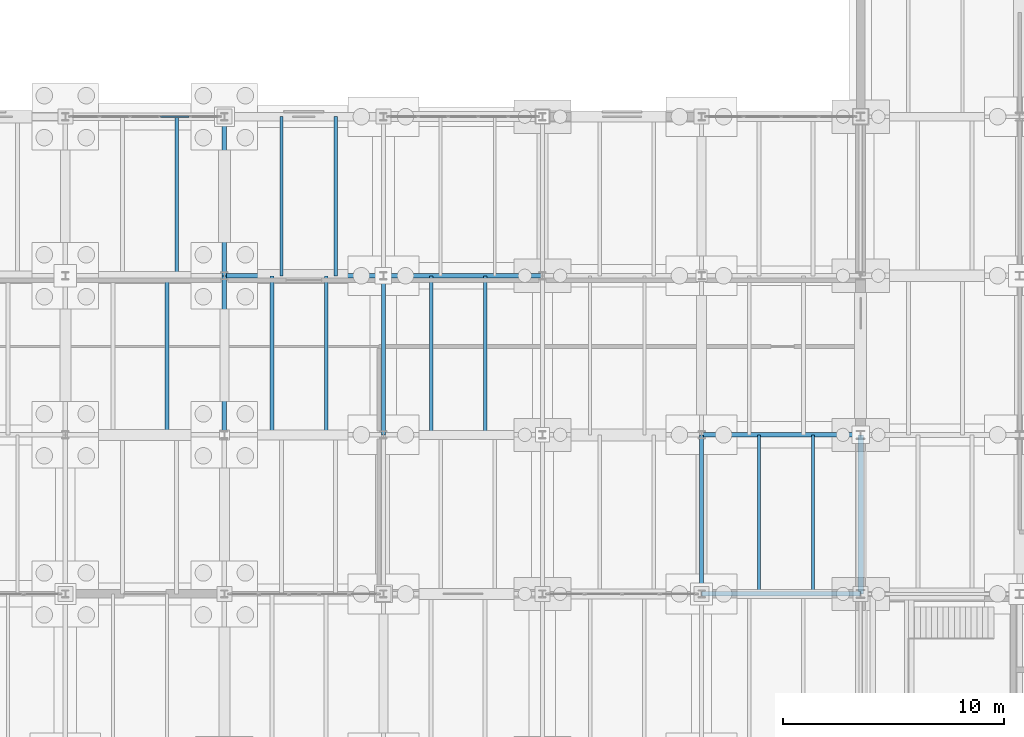
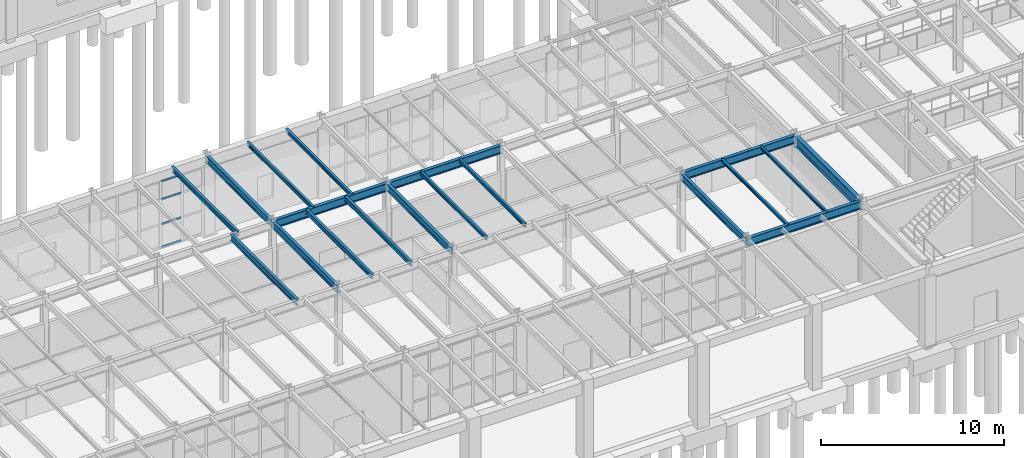
# One storey, part 155 of 293: 19 beams, 4 members, 1 element without a shape of its own.
"""IFC4 building model written with IfcOpenShell, lengths in metres."""

from ifc_helpers import new_model, si_unit, direction, frame, origin, origin_2d, place, context, subcontext, project, spatial, hollow_rectangle, i_section, extrude, material, layer, layer_set, material_profile, profile_set, type_object, element, aggregate, save


model = new_model("IFC4")

# Units and contexts
model_context = context("Model", 3, precision=1e-05, world=origin(), true_north=direction((0.0, 1.0)))
body_context = subcontext(model_context, "Body", "Model", "MODEL_VIEW")
ifc_project = project(units=[si_unit("LENGTHUNIT", "METRE"), si_unit("AREAUNIT", "SQUARE_METRE"), si_unit("VOLUMEUNIT", "CUBIC_METRE"), si_unit("PLANEANGLEUNIT", "RADIAN"), si_unit("MASSUNIT", "GRAM", prefix="KILO")], contexts=[model_context])

# Site, building, storey
site_placement = place(None, origin())
site = spatial("IfcSite", under=ifc_project, at=site_placement, CompositionType="ELEMENT")
building_placement = place(site_placement, origin())
building = spatial("IfcBuilding", under=site, at=building_placement, Name="Kemerveld Promenade Tramway Depot", CompositionType="ELEMENT")
storey_placement = place(building_placement, origin())
storey = spatial("IfcBuildingStorey", under=building, at=storey_placement, Name="L00", CompositionType="ELEMENT", Elevation=0.0)

# Beams
ifc_material_1 = material(Name="Steel S355", Category="steel")
ifc_material_profile_1 = material_profile(ifc_material_1, i_section(OverallWidth=0.25439453125, OverallDepth=0.6875, WebThickness=0.01318359375, FlangeThickness=0.02099609375, FilletRadius=0.01513671875, at=origin_2d()), Name="686x254x152 UB")
ifc_profile_set_1 = profile_set([ifc_material_profile_1], Name="Steel S355")
beam_type_1 = type_object("IfcBeamType", Name="BM-G03", PredefinedType="BEAM", material=ifc_profile_set_1)
beam_1_placement = place(storey_placement, frame((158.39990234375, 7.199951171875, 4.831298828125), z_axis=(0.0, 1.0, 0.0), x_axis=(-1.0, 0.0, 0.0)))
element("IfcBeam", 1, at=beam_1_placement, inside=storey, type_object=beam_type_1, Name="BMY-L00-23-B-C", PredefinedType="BEAM", context=body_context, shape_type="SweptSolid", body=[
    extrude(i_section(OverallWidth=0.25439453125, OverallDepth=0.6875, WebThickness=0.01318359375, FlangeThickness=0.02099609375, FilletRadius=0.01513671875, at=origin_2d()), origin(), (0.0, 0.0, 1.0), 7.199951171875),
])
ifc_material_profile_2 = material_profile(ifc_material_1, i_section(OverallWidth=0.2099609375, OverallDepth=0.53662109375, WebThickness=0.0107421875, FlangeThickness=0.017333984375, FilletRadius=0.0126953125, at=origin_2d()), Name="533x210x101 UB")
ifc_profile_set_2 = profile_set([ifc_material_profile_2], Name="Steel S355")
beam_type_2 = type_object("IfcBeamType", Name="BM-G05", PredefinedType="BEAM", material=ifc_profile_set_2)
for number, where, z_axis, x_axis, name in (
    (2, (151.199951171875, 7.199951171875, 4.906494140625), (1.0, 0.0, 0.0), (0.0, 1.0, 0.0), "BMX-L00-22-23-B"),
    (3, (151.199951171875, 14.39990234375, 4.906494140625), (1.0, 0.0, 0.0), (0.0, 1.0, 0.0), "BMX-L00-22-23-C"),
    (4, (129.60009765625, 21.60009765625, 4.906494140625), (1.0, 0.0, 0.0), (0.0, 1.0, 0.0), "BMX-L00-19-20-D"),
    (5, (136.800048828125, 21.60009765625, 4.906494140625), (1.0, 0.0, 0.0), (0.0, 1.0, 0.0), "BMX-L00-20-21-D"),
):
    element("IfcBeam", number, at=place(storey_placement, frame(where, z_axis=z_axis, x_axis=x_axis)), inside=storey, type_object=beam_type_2, Name=name, PredefinedType="BEAM", context=body_context, shape_type="SweptSolid", body=[
        extrude(i_section(OverallWidth=0.2099609375, OverallDepth=0.53662109375, WebThickness=0.0107421875, FlangeThickness=0.017333984375, FilletRadius=0.0126953125, at=origin_2d()), origin(), (0.0, 0.0, 1.0), 7.199951171875),
    ])
ifc_material_profile_3 = material_profile(ifc_material_1, i_section(OverallWidth=0.19140625, OverallDepth=0.4599609375, WebThickness=0.010009765625, FlangeThickness=0.01611328125, FilletRadius=0.01025390625, at=origin_2d()), Name="457x191x82 UB")
ifc_profile_set_3 = profile_set([ifc_material_profile_3], Name="Steel S355")
beam_type_3 = type_object("IfcBeamType", Name="BM-G06", PredefinedType="BEAM", material=ifc_profile_set_3)
beam_2_placement = place(storey_placement, frame((129.60009765625, 14.39990234375, 4.945068359375), z_axis=(0.0, 1.0, 0.0), x_axis=(-1.0, 0.0, 0.0)))
element("IfcBeam", 6, at=beam_2_placement, inside=storey, type_object=beam_type_3, Name="BMY-L00-19-C-D", PredefinedType="BEAM", context=body_context, shape_type="SweptSolid", body=[
    extrude(i_section(OverallWidth=0.19140625, OverallDepth=0.4599609375, WebThickness=0.010009765625, FlangeThickness=0.01611328125, FilletRadius=0.01025390625, at=origin_2d()), origin(), (0.0, 0.0, 1.0), 7.2001953125),
])
beam_3_placement = place(storey_placement, frame((129.60009765625, 21.60009765625, 4.945068359375), z_axis=(0.0, 1.0, 0.0), x_axis=(-1.0, 0.0, 0.0)))
element("IfcBeam", 7, at=beam_3_placement, inside=storey, type_object=beam_type_3, Name="BMY-L00-19-D-E", PredefinedType="BEAM", context=body_context, shape_type="SweptSolid", body=[
    extrude(i_section(OverallWidth=0.19140625, OverallDepth=0.4599609375, WebThickness=0.010009765625, FlangeThickness=0.01611328125, FilletRadius=0.01025390625, at=origin_2d()), origin(), (0.0, 0.0, 1.0), 7.199951171875),
])
beam_4_placement = place(storey_placement, frame((136.800048828125, 14.39990234375, 4.945068359375), z_axis=(0.0, 1.0, 0.0), x_axis=(-1.0, 0.0, 0.0)))
element("IfcBeam", 8, at=beam_4_placement, inside=storey, type_object=beam_type_3, Name="BMY-L00-20-C-D", PredefinedType="BEAM", context=body_context, shape_type="SweptSolid", body=[
    extrude(i_section(OverallWidth=0.19140625, OverallDepth=0.4599609375, WebThickness=0.010009765625, FlangeThickness=0.01611328125, FilletRadius=0.01025390625, at=origin_2d()), origin(), (0.0, 0.0, 1.0), 7.2001953125),
])
beam_5_placement = place(storey_placement, frame((151.199951171875, 7.199951171875, 4.945068359375), z_axis=(0.0, 1.0, 0.0), x_axis=(-1.0, 0.0, 0.0)))
element("IfcBeam", 9, at=beam_5_placement, inside=storey, type_object=beam_type_3, Name="BMY-L00-22-B-C", PredefinedType="BEAM", context=body_context, shape_type="SweptSolid", body=[
    extrude(i_section(OverallWidth=0.19140625, OverallDepth=0.4599609375, WebThickness=0.010009765625, FlangeThickness=0.01611328125, FilletRadius=0.01025390625, at=origin_2d()), origin(), (0.0, 0.0, 1.0), 7.199951171875),
])
ifc_material_profile_4 = material_profile(ifc_material_1, i_section(OverallWidth=0.165771484375, OverallDepth=0.306640625, WebThickness=0.006591796875, FlangeThickness=0.01171875, FilletRadius=0.0087890625, at=origin_2d()), Name="305x165x46 UB")
ifc_profile_set_4 = profile_set([ifc_material_profile_4], Name="Steel S355")
beam_type_4 = type_object("IfcBeamType", Name="BM-J01", PredefinedType="JOIST", material=ifc_profile_set_4)
beam_6_placement = place(storey_placement, frame((127.43994140625, 21.60009765625, 5.021728515625), z_axis=(0.0, 1.0, 0.0), x_axis=(-1.0, 0.0, 0.0)))
element("IfcBeam", 10, at=beam_6_placement, inside=storey, type_object=beam_type_4, Name="JST-L00-18-D-2", PredefinedType="JOIST", context=body_context, shape_type="SweptSolid", body=[
    extrude(i_section(OverallWidth=0.165771484375, OverallDepth=0.306640625, WebThickness=0.006591796875, FlangeThickness=0.01171875, FilletRadius=0.0087890625, at=origin_2d()), origin(), (0.0, 0.0, 1.0), 7.199951171875),
])
for number, where, z_axis, x_axis, name in (
    (11, (131.760009765625, 14.39990234375, 5.021728515625), (0.0, 1.0, 0.0), (-1.0, 0.0, 0.0), "JST-L00-19-C-1"),
    (12, (134.2080078125, 14.39990234375, 5.021728515625), (0.0, 1.0, 0.0), (-1.0, 0.0, 0.0), "JST-L00-19-C-2"),
):
    element("IfcBeam", number, at=place(storey_placement, frame(where, z_axis=z_axis, x_axis=x_axis)), inside=storey, type_object=beam_type_4, Name=name, PredefinedType="JOIST", context=body_context, shape_type="SweptSolid", body=[
        extrude(i_section(OverallWidth=0.165771484375, OverallDepth=0.306640625, WebThickness=0.006591796875, FlangeThickness=0.01171875, FilletRadius=0.0087890625, at=origin_2d()), origin(), (0.0, 0.0, 1.0), 7.2001953125),
    ])
ifc_material_profile_5 = material_profile(ifc_material_1, i_section(OverallWidth=0.146484375, OverallDepth=0.256103515625, WebThickness=0.00634765625, FlangeThickness=0.010986328125, FilletRadius=0.007568359375, at=origin_2d()), Name="254x146x37 UB")
ifc_profile_set_5 = profile_set([ifc_material_profile_5], Name="Steel S355")
beam_type_5 = type_object("IfcBeamType", Name="BM-J02", PredefinedType="JOIST", material=ifc_profile_set_5)
for number, where, z_axis, x_axis, name in (
    (13, (132.19189453125, 21.60009765625, 5.047119140625), (0.0, 1.0, 0.0), (-1.0, 0.0, 0.0), "JST-L00-19-D-1"),
    (14, (134.639892578125, 21.60009765625, 5.047119140625), (0.0, 1.0, 0.0), (-1.0, 0.0, 0.0), "JST-L00-19-D-2"),
):
    element("IfcBeam", number, at=place(storey_placement, frame(where, z_axis=z_axis, x_axis=x_axis)), inside=storey, type_object=beam_type_5, Name=name, PredefinedType="JOIST", context=body_context, shape_type="SweptSolid", body=[
        extrude(i_section(OverallWidth=0.146484375, OverallDepth=0.256103515625, WebThickness=0.00634765625, FlangeThickness=0.010986328125, FilletRadius=0.007568359375, at=origin_2d()), origin(), (0.0, 0.0, 1.0), 7.199951171875),
    ])
for number, where, z_axis, x_axis, name in (
    (15, (138.9599609375, 14.39990234375, 5.047119140625), (0.0, 1.0, 0.0), (-1.0, 0.0, 0.0), "JST-L00-20-C-1"),
    (16, (141.407958984375, 14.39990234375, 5.047119140625), (0.0, 1.0, 0.0), (-1.0, 0.0, 0.0), "JST-L00-20-C-2"),
):
    element("IfcBeam", number, at=place(storey_placement, frame(where, z_axis=z_axis, x_axis=x_axis)), inside=storey, type_object=beam_type_5, Name=name, PredefinedType="JOIST", context=body_context, shape_type="SweptSolid", body=[
        extrude(i_section(OverallWidth=0.146484375, OverallDepth=0.256103515625, WebThickness=0.00634765625, FlangeThickness=0.010986328125, FilletRadius=0.007568359375, at=origin_2d()), origin(), (0.0, 0.0, 1.0), 7.2001953125),
    ])
ifc_material_profile_6 = material_profile(ifc_material_1, i_section(OverallWidth=0.13330078125, OverallDepth=0.203125, WebThickness=0.005615234375, FlangeThickness=0.0078125, FilletRadius=0.007568359375, at=origin_2d()), Name="203x133x25 UB")
ifc_profile_set_6 = profile_set([ifc_material_profile_6], Name="Steel S355")
beam_type_6 = type_object("IfcBeamType", Name="BM-J03", PredefinedType="JOIST", material=ifc_profile_set_6)
for number, where, z_axis, x_axis, name in (
    (17, (153.7919921875, 7.199951171875, 5.073486328125), (0.0, 1.0, 0.0), (-1.0, 0.0, 0.0), "JST-L00-22-B-1"),
    (18, (156.239990234375, 7.199951171875, 5.073486328125), (0.0, 1.0, 0.0), (-1.0, 0.0, 0.0), "JST-L00-22-B-2"),
):
    element("IfcBeam", number, at=place(storey_placement, frame(where, z_axis=z_axis, x_axis=x_axis)), inside=storey, type_object=beam_type_6, Name=name, PredefinedType="JOIST", context=body_context, shape_type="SweptSolid", body=[
        extrude(i_section(OverallWidth=0.13330078125, OverallDepth=0.203125, WebThickness=0.005615234375, FlangeThickness=0.0078125, FilletRadius=0.007568359375, at=origin_2d()), origin(), (0.0, 0.0, 1.0), 7.199951171875),
    ])
ifc_material_profile_7 = material_profile(ifc_material_1, i_section(OverallWidth=0.1787109375, OverallDepth=0.409423828125, WebThickness=0.0087890625, FlangeThickness=0.014404296875, FilletRadius=0.01025390625, at=origin_2d()), Name="406x178x67 UB")
ifc_profile_set_7 = profile_set([ifc_material_profile_7], Name="Steel S355")
beam_type_7 = type_object("IfcBeamType", Name="BM-J05", PredefinedType="JOIST", material=ifc_profile_set_7)
beam_7_placement = place(storey_placement, frame((127.008056640625, 14.39990234375, 4.97021484375), z_axis=(0.0, 1.0, 0.0), x_axis=(-1.0, 0.0, 0.0)))
element("IfcBeam", 19, at=beam_7_placement, inside=storey, type_object=beam_type_7, Name="JST-L00-18-C-2", PredefinedType="JOIST", context=body_context, shape_type="SweptSolid", body=[
    extrude(i_section(OverallWidth=0.1787109375, OverallDepth=0.409423828125, WebThickness=0.0087890625, FlangeThickness=0.014404296875, FilletRadius=0.01025390625, at=origin_2d()), origin(), (0.0, 0.0, 1.0), 7.2001953125),
])

# Curtain wall, members
ifc_material_2 = material(Name="Bronze anodised aluminium and solar glass", Category="aluminium")
ifc_layer = layer(ifc_material_2, 0.159912109375)
ifc_layer_set = layer_set([ifc_layer], Name="CW-SYS-13")
curtain_wall_type = type_object("IfcCurtainWallType", Name="CW-SYS-13", PredefinedType="USERDEFINED", material=ifc_layer_set)
curtain_wall_placement = place(storey_placement, origin())
curtain_wall = element("IfcCurtainWall", 20, at=curtain_wall_placement, inside=storey, type_object=curtain_wall_type, Name="CW-L00-V4N-10", ObjectType="GLAZED_CURTAIN_WALL", PredefinedType="USERDEFINED")
ifc_material_3 = material(Name="Bronze anodised aluminium", Category="aluminium")
ifc_material_profile_8 = material_profile(ifc_material_3, hollow_rectangle(XDim=0.06005859375, YDim=0.1201171875, WallThickness=0.00390625, InnerFilletRadius=0.001953125, OuterFilletRadius=0.00390625, at=origin_2d()), Name="CW-TRN-120x60")
ifc_profile_set_8 = profile_set([ifc_material_profile_8], Name="Bronze anodised aluminium")
member_type = type_object("IfcMemberType", Name="CW-TRN-A", PredefinedType="USERDEFINED", material=ifc_profile_set_8)
member_1_placement = place(storey_placement, frame((126.71337890625, 28.800048828125, 0.030029296875), z_axis=(1.0, 0.0, 0.0), x_axis=(0.0, 1.0, 0.0)))
member_1 = element("IfcMember", 21, at=member_1_placement, type_object=member_type, Name="CW13 transom 4.1", ObjectType="TRANSOM", PredefinedType="USERDEFINED", context=body_context, shape_type="SweptSolid", body=[
    extrude(hollow_rectangle(XDim=0.06005859375, YDim=0.1201171875, WallThickness=0.00390625, InnerFilletRadius=0.001953125, OuterFilletRadius=0.00390625, at=origin_2d()), origin(), (0.0, 0.0, 1.0), 1.29638671875),
])
member_2_placement = place(storey_placement, frame((126.71337890625, 28.800048828125, 1.55908203125), z_axis=(1.0, 0.0, 0.0), x_axis=(0.0, 1.0, 0.0)))
member_2 = element("IfcMember", 22, at=member_2_placement, type_object=member_type, Name="CW13 transom 4.2", ObjectType="TRANSOM", PredefinedType="USERDEFINED", context=body_context, shape_type="SweptSolid", body=[
    extrude(hollow_rectangle(XDim=0.06005859375, YDim=0.1201171875, WallThickness=0.00390625, InnerFilletRadius=0.001953125, OuterFilletRadius=0.00390625, at=origin_2d()), origin(), (0.0, 0.0, 1.0), 1.29638671875),
])
member_3_placement = place(storey_placement, frame((126.71337890625, 28.800048828125, 3.2080078125), z_axis=(1.0, 0.0, 0.0), x_axis=(0.0, 1.0, 0.0)))
member_3 = element("IfcMember", 23, at=member_3_placement, type_object=member_type, Name="CW13 transom 4.3", ObjectType="TRANSOM", PredefinedType="USERDEFINED", context=body_context, shape_type="SweptSolid", body=[
    extrude(hollow_rectangle(XDim=0.06005859375, YDim=0.1201171875, WallThickness=0.00390625, InnerFilletRadius=0.001953125, OuterFilletRadius=0.00390625, at=origin_2d()), origin(), (0.0, 0.0, 1.0), 1.29638671875),
])
member_4_placement = place(storey_placement, frame((126.71337890625, 28.800048828125, 4.425048828125), z_axis=(1.0, 0.0, 0.0), x_axis=(0.0, 1.0, 0.0)))
member_4 = element("IfcMember", 24, at=member_4_placement, type_object=member_type, Name="CW13 transom 4.4", ObjectType="TRANSOM", PredefinedType="USERDEFINED", context=body_context, shape_type="SweptSolid", body=[
    extrude(hollow_rectangle(XDim=0.06005859375, YDim=0.1201171875, WallThickness=0.00390625, InnerFilletRadius=0.001953125, OuterFilletRadius=0.00390625, at=origin_2d()), origin(), (0.0, 0.0, 1.0), 1.29638671875),
])
aggregate(curtain_wall, [member_1, member_2, member_3, member_4])

save(model, "model.ifc")
